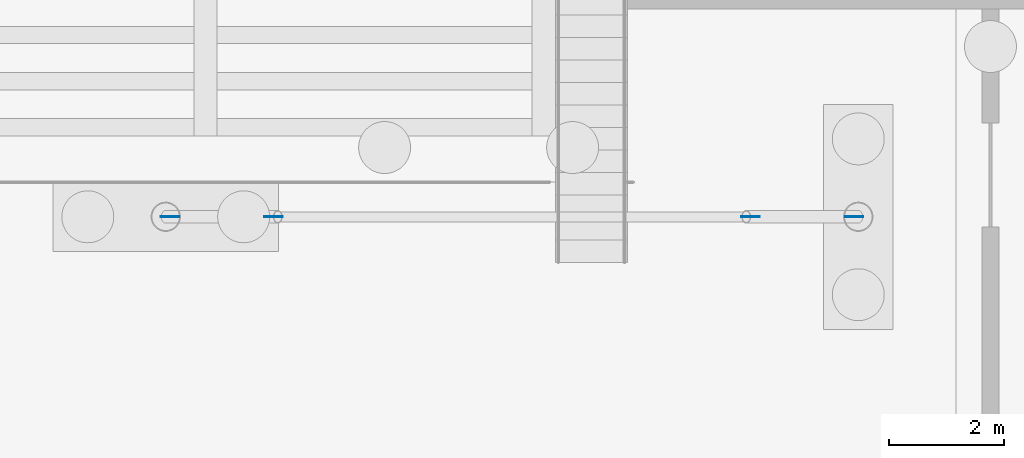
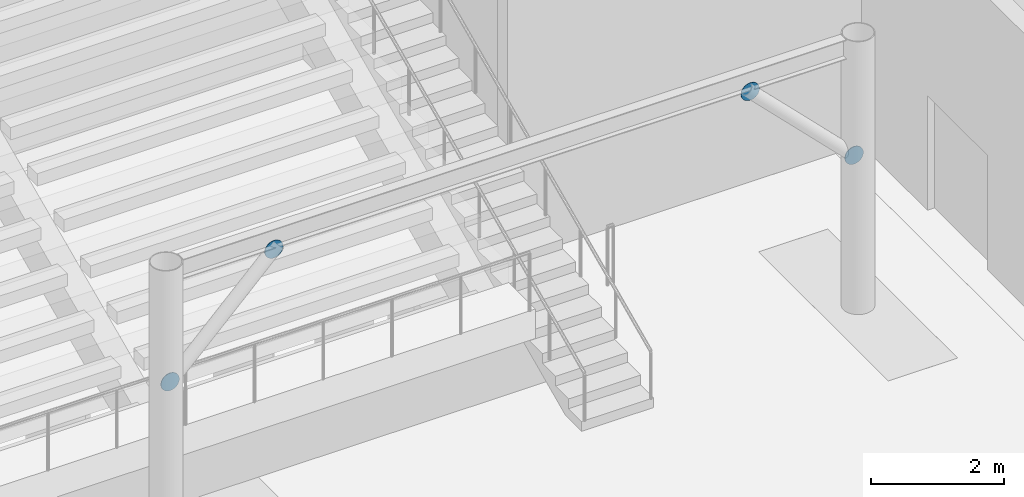
# One storey, part 119 of 157: 4 discrete accessories.
"""IFC4 building model written with IfcOpenShell, lengths in metres."""

from ifc_helpers import new_model, si_unit, direction, frame, origin, origin_2d, place, context, subcontext, project, spatial, circle, extrude, material, layer, layer_set, type_object, element, save


model = new_model("IFC4")

# Units and contexts
model_context = context("Model", 3, precision=1e-05, world=origin(), true_north=direction((0.0, 1.0)))
body_context = subcontext(model_context, "Body", "Model", "MODEL_VIEW")
ifc_project = project(units=[si_unit("LENGTHUNIT", "METRE"), si_unit("AREAUNIT", "SQUARE_METRE"), si_unit("VOLUMEUNIT", "CUBIC_METRE"), si_unit("PLANEANGLEUNIT", "RADIAN"), si_unit("MASSUNIT", "GRAM", prefix="KILO")], contexts=[model_context])

# Site, building, storey
site_placement = place(None, origin())
site = spatial("IfcSite", under=ifc_project, at=site_placement, CompositionType="ELEMENT")
building_placement = place(site_placement, origin())
building = spatial("IfcBuilding", under=site, at=building_placement, Name="Windward Yard Aquatics Centre", CompositionType="ELEMENT")
storey_placement = place(building_placement, origin())
storey = spatial("IfcBuildingStorey", under=building, at=storey_placement, Name="L00", CompositionType="ELEMENT", Elevation=0.0)

# Discrete accessories
ifc_material = material(Name="Steel S355", Category="steel")
ifc_layer = layer(ifc_material, 0.011962890625)
ifc_layer_set = layer_set([ifc_layer], Name="Gusset plate 320 mm disc 12 mm")
discrete_accessory_type = type_object("IfcDiscreteAccessoryType", Name="Gusset plate 320 mm disc 12 mm", PredefinedType="USERDEFINED", material=ifc_layer_set)
for number, where, z_axis, x_axis, name in (
    (1, (132.07080078125, 80.39404296875, 2.770751953125), (0.0, 1.0, 0.0), (-1.0, 0.0, 0.0), "Gusset plate"),
    (2, (133.871337890625, 80.39404296875, 4.5712890625), (0.0, 1.0, 0.0), (-1.0, 0.0, 0.0), "Gusset plate"),
    (3, (143.92919921875, 80.39404296875, 2.770751953125), (0.0, 1.0, 0.0), (-1.0, 0.0, 0.0), "Gusset plate"),
    (4, (142.128662109375, 80.39404296875, 4.5712890625), (0.0, 1.0, 0.0), (-1.0, 0.0, 0.0), "Gusset plate"),
):
    element("IfcDiscreteAccessory", number, at=place(storey_placement, frame(where, z_axis=z_axis, x_axis=x_axis)), inside=storey, type_object=discrete_accessory_type, Name=name, ObjectType="GUSSET PLATE", PredefinedType="USERDEFINED", context=body_context, shape_type="SweptSolid", body=[
        extrude(circle(Radius=0.159912109375, at=origin_2d()), origin(), (0.0, 0.0, 1.0), 0.011962890625),
    ])

save(model, "model.ifc")
